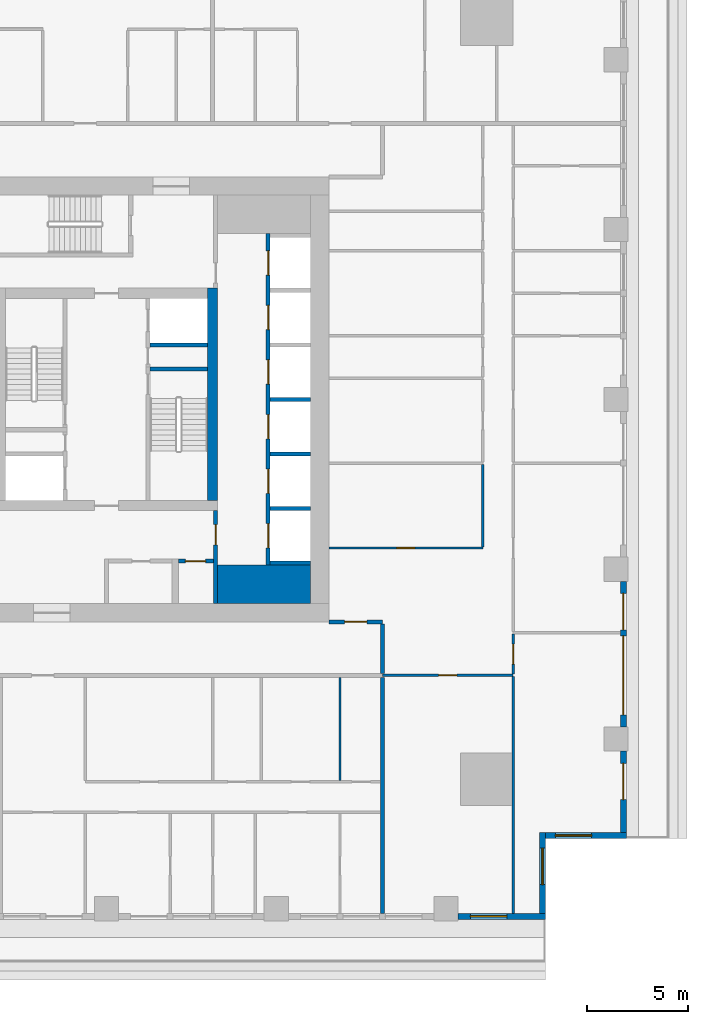
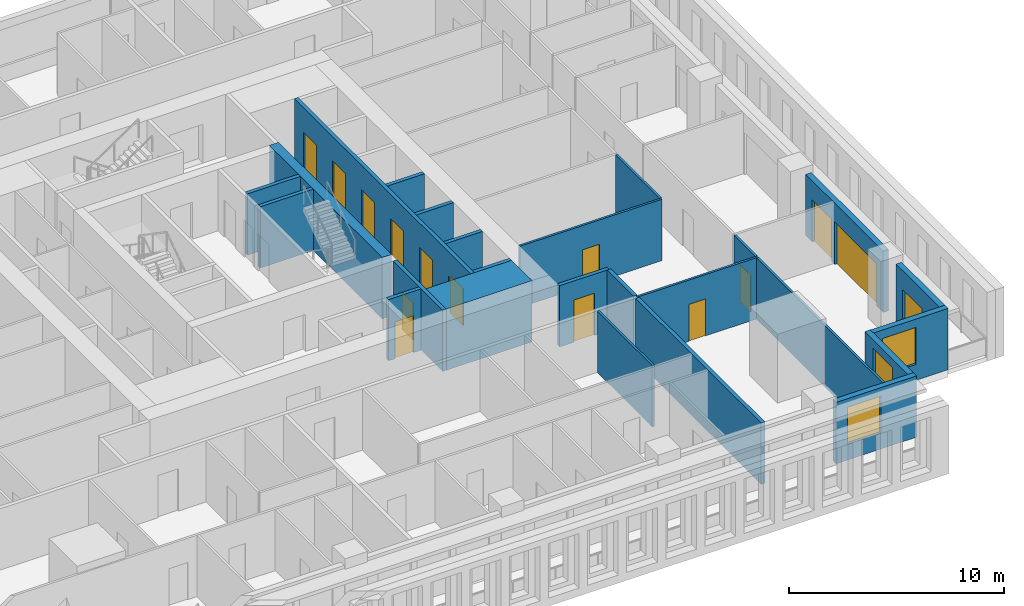
# One storey, part 5 of 16: 25 walls, 15 doors, 3 windows, 18 openings.
"""IFC4 building model written with IfcOpenShell, lengths in metres."""

from ifc_helpers import new_model, si_unit, direction, frame, frame_2d, origin, place, context, subcontext, project, spatial, rectangle, extrude, material, layer, layer_set, type_object, element, fill, save


model = new_model("IFC4")

# Units and contexts
model_context = context("Model", 3, precision=1e-05, world=origin(), true_north=direction((0.0, 1.0)))
body_context = subcontext(model_context, "Body", "Model", "MODEL_VIEW")
ifc_project = project(units=[si_unit("LENGTHUNIT", "METRE"), si_unit("AREAUNIT", "SQUARE_METRE"), si_unit("VOLUMEUNIT", "CUBIC_METRE"), si_unit("PLANEANGLEUNIT", "RADIAN"), si_unit("MASSUNIT", "GRAM", prefix="KILO")], contexts=[model_context])

# Site, building, storey
site_placement = place(None, origin())
site = spatial("IfcSite", under=ifc_project, at=site_placement, CompositionType="ELEMENT")
building_placement = place(site_placement, origin())
building = spatial("IfcBuilding", under=site, at=building_placement, Name="Khepri Terraces", CompositionType="ELEMENT")
storey_placement = place(building_placement, frame((0.0, 0.0, 157.199951171875)))
storey = spatial("IfcBuildingStorey", under=building, at=storey_placement, Name="L37", CompositionType="ELEMENT", Elevation=157.199951171875)

# Walls
ifc_material_1 = material(Name="Concrete C60/75", Category="concrete")
ifc_layer_1 = layer(ifc_material_1, 1.89990234375, Name="Concrete C60/75", Category="concrete")
ifc_layer_set_1 = layer_set([ifc_layer_1], Name="Concrete C60/75")
wall_type_1 = type_object("IfcWallType", Name="Core wall 1900 C60/75", PredefinedType="SHEAR", material=ifc_layer_set_1)
wall_1_placement = place(storey_placement, frame((5.5, -9.14990234375, 0.0), z_axis=(0.0, 0.0, 1.0), x_axis=(1.0, 0.0, 0.0)))
element("IfcWall", 1, at=wall_1_placement, inside=storey, type_object=wall_type_1, Name="Core wall PR02 L37", PredefinedType="SHEAR", context=body_context, shape_type="SweptSolid", body=[
    extrude(rectangle(XDim=4.60009765625, YDim=1.89990234375, at=frame_2d((2.300048828125, 0.0))), origin(), (0.0, 0.0, 1.0), 3.47998046875),
])
ifc_layer_2 = layer(ifc_material_1, 0.199951171875, Name="Concrete C60/75", Category="concrete")
ifc_layer_set_2 = layer_set([ifc_layer_2], Name="Concrete C60/75")
wall_type_2 = type_object("IfcWallType", Name="Core wall 200 C60/75", PredefinedType="SHEAR", material=ifc_layer_set_2)
wall_2_placement = place(storey_placement, frame((2.14990234375, 1.5, 0.0), z_axis=(0.0, 0.0, 1.0), x_axis=(1.0, 0.0, 0.0)))
element("IfcWall", 2, at=wall_2_placement, inside=storey, type_object=wall_type_2, Name="Core wall ST04 L37", PredefinedType="SHEAR", context=body_context, shape_type="SweptSolid", body=[
    extrude(rectangle(XDim=2.85009765625, YDim=0.199951171875, at=frame_2d((1.425048828125, 0.0))), origin(), (0.0, 0.0, 1.0), 3.47998046875),
])

# Wall, openings, doors
wall_3_placement = place(storey_placement, frame((8.0, -8.199951171875, 0.0), z_axis=(0.0, 0.0, 1.0), x_axis=(0.0, 1.0, 0.0)))
wall_3 = element("IfcWall", 3, at=wall_3_placement, inside=storey, type_object=wall_type_2, Name="Core wall SH02 L37", PredefinedType="SHEAR", context=body_context, shape_type="SweptSolid", body=[
    extrude(rectangle(XDim=16.39990234375, YDim=0.199951171875, at=frame_2d((8.199951171875, 0.0))), origin(), (0.0, 0.0, 1.0), 3.47998046875),
])
opening_1_placement = place(wall_3_placement, frame((0.85009765625, 0.0, 0.0)))
opening_1 = element("IfcOpeningElement", 4, at=opening_1_placement, cuts=wall_3, Name="Opening L37-C01", PredefinedType="OPENING", context=body_context, shape_type="SweptSolid", body=[
    extrude(rectangle(XDim=1.199951171875, YDim=2.10009765625, at=frame_2d((0.60009765625, 1.050048828125))), frame((0.0, 0.10986328125, 0.0), z_axis=(0.0, -1.0, 0.0), x_axis=(1.0, 0.0, 0.0)), (0.0, 0.0, 1.0), 0.219970703125),
])
opening_2_placement = place(wall_3_placement, frame((3.550048828125, 0.0, 0.0)))
opening_2 = element("IfcOpeningElement", 5, at=opening_2_placement, cuts=wall_3, Name="Opening L37-C02", PredefinedType="OPENING", context=body_context, shape_type="SweptSolid", body=[
    extrude(rectangle(XDim=1.199951171875, YDim=2.10009765625, at=frame_2d((0.60009765625, 1.050048828125))), frame((0.0, 0.10986328125, 0.0), z_axis=(0.0, -1.0, 0.0), x_axis=(1.0, 0.0, 0.0)), (0.0, 0.0, 1.0), 0.219970703125),
])
opening_3_placement = place(wall_3_placement, frame((6.25, 0.0, 0.0)))
opening_3 = element("IfcOpeningElement", 6, at=opening_3_placement, cuts=wall_3, Name="Opening L37-C03", PredefinedType="OPENING", context=body_context, shape_type="SweptSolid", body=[
    extrude(rectangle(XDim=1.199951171875, YDim=2.10009765625, at=frame_2d((0.60009765625, 1.050048828125))), frame((0.0, 0.10986328125, 0.0), z_axis=(0.0, -1.0, 0.0), x_axis=(1.0, 0.0, 0.0)), (0.0, 0.0, 1.0), 0.219970703125),
])
opening_4_placement = place(wall_3_placement, frame((8.949951171875, 0.0, 0.0)))
opening_4 = element("IfcOpeningElement", 7, at=opening_4_placement, cuts=wall_3, Name="Opening L37-C04", PredefinedType="OPENING", context=body_context, shape_type="SweptSolid", body=[
    extrude(rectangle(XDim=1.199951171875, YDim=2.10009765625, at=frame_2d((0.60009765625, 1.050048828125))), frame((0.0, 0.10986328125, 0.0), z_axis=(0.0, -1.0, 0.0), x_axis=(1.0, 0.0, 0.0)), (0.0, 0.0, 1.0), 0.219970703125),
])
opening_5_placement = place(wall_3_placement, frame((11.64990234375, 0.0, 0.0)))
opening_5 = element("IfcOpeningElement", 8, at=opening_5_placement, cuts=wall_3, Name="Opening L37-C05", PredefinedType="OPENING", context=body_context, shape_type="SweptSolid", body=[
    extrude(rectangle(XDim=1.199951171875, YDim=2.10009765625, at=frame_2d((0.60009765625, 1.050048828125))), frame((0.0, 0.10986328125, 0.0), z_axis=(0.0, -1.0, 0.0), x_axis=(1.0, 0.0, 0.0)), (0.0, 0.0, 1.0), 0.219970703125),
])
opening_6_placement = place(wall_3_placement, frame((14.35009765625, 0.0, 0.0)))
opening_6 = element("IfcOpeningElement", 9, at=opening_6_placement, cuts=wall_3, Name="Opening L37-C06", PredefinedType="OPENING", context=body_context, shape_type="SweptSolid", body=[
    extrude(rectangle(XDim=1.199951171875, YDim=2.10009765625, at=frame_2d((0.60009765625, 1.050048828125))), frame((0.0, 0.10986328125, 0.0), z_axis=(0.0, -1.0, 0.0), x_axis=(1.0, 0.0, 0.0)), (0.0, 0.0, 1.0), 0.219970703125),
])
ifc_material_2 = material(Name="Stainless steel 304", Category="steel")
door_type_1 = type_object("IfcDoorType", Name="DR-CORE-LANDING-1200", OperationType="NOTDEFINED", PredefinedType="DOOR", material=ifc_material_2)
door_1_placement = place(opening_1_placement, origin())
door_1 = element("IfcDoor", 10, at=door_1_placement, inside=storey, type_object=door_type_1, Name="Lift landing door L37-C01", OperationType="SLIDING_TO_LEFT", OverallHeight=2.10009765625, OverallWidth=1.199951171875, PredefinedType="DOOR", context=body_context, shape_type="SweptSolid", body=[
    extrude(rectangle(XDim=1.199951171875, YDim=2.10009765625, at=frame_2d((0.60009765625, 1.050048828125))), frame((0.0, 0.02490234375, 0.0), z_axis=(0.0, -1.0, 0.0), x_axis=(1.0, 0.0, 0.0)), (0.0, 0.0, 1.0), 0.050048828125),
])
fill(opening_1, door_1)
door_2_placement = place(opening_2_placement, origin())
door_2 = element("IfcDoor", 11, at=door_2_placement, inside=storey, type_object=door_type_1, Name="Lift landing door L37-C02", OperationType="SLIDING_TO_LEFT", OverallHeight=2.10009765625, OverallWidth=1.199951171875, PredefinedType="DOOR", context=body_context, shape_type="SweptSolid", body=[
    extrude(rectangle(XDim=1.199951171875, YDim=2.10009765625, at=frame_2d((0.60009765625, 1.050048828125))), frame((0.0, 0.02490234375, 0.0), z_axis=(0.0, -1.0, 0.0), x_axis=(1.0, 0.0, 0.0)), (0.0, 0.0, 1.0), 0.050048828125),
])
fill(opening_2, door_2)
door_3_placement = place(opening_3_placement, origin())
door_3 = element("IfcDoor", 12, at=door_3_placement, inside=storey, type_object=door_type_1, Name="Lift landing door L37-C03", OperationType="SLIDING_TO_LEFT", OverallHeight=2.10009765625, OverallWidth=1.199951171875, PredefinedType="DOOR", context=body_context, shape_type="SweptSolid", body=[
    extrude(rectangle(XDim=1.199951171875, YDim=2.10009765625, at=frame_2d((0.60009765625, 1.050048828125))), frame((0.0, 0.02490234375, 0.0), z_axis=(0.0, -1.0, 0.0), x_axis=(1.0, 0.0, 0.0)), (0.0, 0.0, 1.0), 0.050048828125),
])
fill(opening_3, door_3)
door_4_placement = place(opening_4_placement, origin())
door_4 = element("IfcDoor", 13, at=door_4_placement, inside=storey, type_object=door_type_1, Name="Lift landing door L37-C04", OperationType="SLIDING_TO_LEFT", OverallHeight=2.10009765625, OverallWidth=1.199951171875, PredefinedType="DOOR", context=body_context, shape_type="SweptSolid", body=[
    extrude(rectangle(XDim=1.199951171875, YDim=2.10009765625, at=frame_2d((0.60009765625, 1.050048828125))), frame((0.0, 0.02490234375, 0.0), z_axis=(0.0, -1.0, 0.0), x_axis=(1.0, 0.0, 0.0)), (0.0, 0.0, 1.0), 0.050048828125),
])
fill(opening_4, door_4)
door_5_placement = place(opening_5_placement, origin())
door_5 = element("IfcDoor", 14, at=door_5_placement, inside=storey, type_object=door_type_1, Name="Lift landing door L37-C05", OperationType="SLIDING_TO_LEFT", OverallHeight=2.10009765625, OverallWidth=1.199951171875, PredefinedType="DOOR", context=body_context, shape_type="SweptSolid", body=[
    extrude(rectangle(XDim=1.199951171875, YDim=2.10009765625, at=frame_2d((0.60009765625, 1.050048828125))), frame((0.0, 0.02490234375, 0.0), z_axis=(0.0, -1.0, 0.0), x_axis=(1.0, 0.0, 0.0)), (0.0, 0.0, 1.0), 0.050048828125),
])
fill(opening_5, door_5)
door_6_placement = place(opening_6_placement, origin())
door_6 = element("IfcDoor", 15, at=door_6_placement, inside=storey, type_object=door_type_1, Name="Lift landing door L37-C06", OperationType="SLIDING_TO_LEFT", OverallHeight=2.10009765625, OverallWidth=1.199951171875, PredefinedType="DOOR", context=body_context, shape_type="SweptSolid", body=[
    extrude(rectangle(XDim=1.199951171875, YDim=2.10009765625, at=frame_2d((0.60009765625, 1.050048828125))), frame((0.0, 0.02490234375, 0.0), z_axis=(0.0, -1.0, 0.0), x_axis=(1.0, 0.0, 0.0)), (0.0, 0.0, 1.0), 0.050048828125),
])
fill(opening_6, door_6)

# Walls
for number, where, z_axis, x_axis, name in (
    (16, (8.10009765625, -8.10009765625, 0.0), (0.0, 0.0, 1.0), (1.0, 0.0, 0.0), "Core wall SH03 L37"),
    (17, (8.10009765625, -5.39990234375, 0.0), (0.0, 0.0, 1.0), (1.0, 0.0, 0.0), "Core wall SH04 L37"),
    (18, (8.10009765625, -2.699951171875, 0.0), (0.0, 0.0, 1.0), (1.0, 0.0, 0.0), "Core wall SH08 L37"),
    (19, (8.10009765625, 0.0, 0.0), (0.0, 0.0, 1.0), (1.0, 0.0, 0.0), "Core wall SH09 L37"),
):
    element("IfcWall", number, at=place(storey_placement, frame(where, z_axis=z_axis, x_axis=x_axis)), inside=storey, type_object=wall_type_2, Name=name, PredefinedType="SHEAR", context=body_context, shape_type="SweptSolid", body=[
        extrude(rectangle(XDim=2.0, YDim=0.199951171875, at=frame_2d((1.0, 0.0))), origin(), (0.0, 0.0, 1.0), 3.47998046875),
    ])
wall_4_placement = place(storey_placement, frame((2.14990234375, 2.699951171875, 0.0), z_axis=(0.0, 0.0, 1.0), x_axis=(1.0, 0.0, 0.0)))
element("IfcWall", 20, at=wall_4_placement, inside=storey, type_object=wall_type_2, Name="Core wall SH12 L37", PredefinedType="SHEAR", context=body_context, shape_type="SweptSolid", body=[
    extrude(rectangle(XDim=2.85009765625, YDim=0.199951171875, at=frame_2d((1.425048828125, 0.0))), origin(), (0.0, 0.0, 1.0), 3.47998046875),
])
ifc_layer_3 = layer(ifc_material_1, 0.5, Name="Concrete C60/75", Category="concrete")
ifc_layer_set_3 = layer_set([ifc_layer_3], Name="Concrete C60/75")
wall_type_3 = type_object("IfcWallType", Name="Core wall 500 C60/75", PredefinedType="SHEAR", material=ifc_layer_set_3)
wall_5_placement = place(storey_placement, frame((5.25, -5.0, 0.0), z_axis=(0.0, 0.0, 1.0), x_axis=(0.0, 1.0, 0.0)))
element("IfcWall", 21, at=wall_5_placement, inside=storey, type_object=wall_type_3, Name="Core wall BX03 L37", PredefinedType="SHEAR", context=body_context, shape_type="SweptSolid", body=[
    extrude(rectangle(XDim=10.5, YDim=0.5, at=frame_2d((5.25, 0.0))), origin(), (0.0, 0.0, 1.0), 3.47998046875),
])

# Wall, opening, door
ifc_material_3 = material(Name="Fire-rated gypsum board partition")
ifc_layer_4 = layer(ifc_material_3, 0.199951171875, Name="Fire-rated gypsum board partition")
ifc_layer_set_4 = layer_set([ifc_layer_4], Name="Fire-rated gypsum board partition")
wall_type_4 = type_object("IfcWallType", Name="WL-CORE-PART-200", PredefinedType="PARTITIONING", material=ifc_layer_set_4)
wall_6_placement = place(storey_placement, frame((5.39990234375, -10.10009765625, 0.0), z_axis=(0.0, 0.0, 1.0), x_axis=(0.0, 1.0, 0.0)))
wall_6 = element("IfcWall", 22, at=wall_6_placement, inside=storey, type_object=wall_type_4, Name="Core partition PT04 L37", PredefinedType="PARTITIONING", context=body_context, shape_type="SweptSolid", body=[
    extrude(rectangle(XDim=4.60009765625, YDim=0.199951171875, at=frame_2d((2.300048828125, 0.0))), origin(), (0.0, 0.0, 1.0), 3.47998046875),
])
opening_7_placement = place(wall_6_placement, frame((2.89990234375, 0.0, 0.0)))
opening_7 = element("IfcOpeningElement", 23, at=opening_7_placement, cuts=wall_6, Name="Opening L37-C19", PredefinedType="OPENING", context=body_context, shape_type="SweptSolid", body=[
    extrude(rectangle(XDim=1.0, YDim=2.10009765625, at=frame_2d((0.5, 1.050048828125))), frame((0.0, 0.10986328125, 0.0), z_axis=(0.0, -1.0, 0.0), x_axis=(1.0, 0.0, 0.0)), (0.0, 0.0, 1.0), 0.219970703125),
])
ifc_material_4 = material(Name="Painted steel", Category="steel")
door_type_2 = type_object("IfcDoorType", Name="DR-CORE-LOBBY-1000", OperationType="NOTDEFINED", PredefinedType="DOOR", material=ifc_material_4)
door_7_placement = place(opening_7_placement, origin())
door_7 = element("IfcDoor", 24, at=door_7_placement, inside=storey, type_object=door_type_2, Name="Lobby door L37-C19", OperationType="SINGLE_SWING_RIGHT", OverallHeight=2.10009765625, OverallWidth=1.0, PredefinedType="DOOR", context=body_context, shape_type="SweptSolid", body=[
    extrude(rectangle(XDim=1.0, YDim=2.10009765625, at=frame_2d((0.5, 1.050048828125))), frame((0.0, 0.02490234375, 0.0), z_axis=(0.0, -1.0, 0.0), x_axis=(1.0, 0.0, 0.0)), (0.0, 0.0, 1.0), 0.050048828125),
])
fill(opening_7, door_7)

wall_7_placement = place(storey_placement, frame((3.550048828125, -8.0, 0.0), z_axis=(0.0, 0.0, 1.0), x_axis=(1.0, 0.0, 0.0)))
wall_7 = element("IfcWall", 25, at=wall_7_placement, inside=storey, type_object=wall_type_4, Name="Core partition PT07 L37", PredefinedType="PARTITIONING", context=body_context, shape_type="SweptSolid", body=[
    extrude(rectangle(XDim=1.75, YDim=0.199951171875, at=frame_2d((0.875, 0.0))), origin(), (0.0, 0.0, 1.0), 3.47998046875),
])
opening_8_placement = place(wall_7_placement, frame((0.35009765625, 0.0, 0.0)))
opening_8 = element("IfcOpeningElement", 26, at=opening_8_placement, cuts=wall_7, Name="Opening L37-C23", PredefinedType="OPENING", context=body_context, shape_type="SweptSolid", body=[
    extrude(rectangle(XDim=1.0, YDim=2.10009765625, at=frame_2d((0.5, 1.050048828125))), frame((0.0, 0.10986328125, 0.0), z_axis=(0.0, -1.0, 0.0), x_axis=(1.0, 0.0, 0.0)), (0.0, 0.0, 1.0), 0.219970703125),
])
ifc_material_5 = material(Name="Timber veneer", Category="wood")
door_type_3 = type_object("IfcDoorType", Name="DR-CORE-WC-1000", OperationType="NOTDEFINED", PredefinedType="DOOR", material=ifc_material_5)
door_8_placement = place(opening_8_placement, frame((1.0, 0.0, 0.0), z_axis=(0.0, 0.0, 1.0), x_axis=(-1.0, 0.0, 0.0)))
door_8 = element("IfcDoor", 27, at=door_8_placement, inside=storey, type_object=door_type_3, Name="WC door L37-C23", OperationType="SINGLE_SWING_RIGHT", OverallHeight=2.10009765625, OverallWidth=1.0, PredefinedType="DOOR", context=body_context, shape_type="SweptSolid", body=[
    extrude(rectangle(XDim=1.0, YDim=2.10009765625, at=frame_2d((0.5, 1.050048828125))), frame((0.0, 0.02490234375, 0.0), z_axis=(0.0, -1.0, 0.0), x_axis=(1.0, 0.0, 0.0)), (0.0, 0.0, 1.0), 0.050048828125),
])
fill(opening_8, door_8)

# Walls
ifc_material_6 = material(Name="Fire-rated gypsum plasterboard partition, mineral wool")
ifc_layer_5 = layer(ifc_material_6, 0.199951171875, Name="Fire-rated gypsum plasterboard partition, mineral wool")
ifc_layer_set_5 = layer_set([ifc_layer_5], Name="Fire-rated gypsum plasterboard partition, mineral wool")
wall_type_5 = type_object("IfcWallType", Name="WL-CORR-200", PredefinedType="PARTITIONING", material=ifc_layer_set_5)
wall_8_placement = place(storey_placement, frame((13.64990234375, -25.419921875, 0.0), z_axis=(0.0, 0.0, 1.0), x_axis=(0.0, 1.0, 0.0)))
element("IfcWall", 28, at=wall_8_placement, inside=storey, type_object=wall_type_5, Name="Partition P-010 L37", PredefinedType="PARTITIONING", context=body_context, shape_type="SweptSolid", body=[
    extrude(rectangle(XDim=11.669921875, YDim=0.199951171875, at=frame_2d((5.8349609375, 0.0))), origin(), (0.0, 0.0, 1.0), 3.47998046875),
])
wall_9_placement = place(storey_placement, frame((13.64990234375, -13.550048828125, 0.0), z_axis=(0.0, 0.0, 1.0), x_axis=(0.0, 1.0, 0.0)))
element("IfcWall", 29, at=wall_9_placement, inside=storey, type_object=wall_type_5, Name="Partition P-029 L37", PredefinedType="PARTITIONING", context=body_context, shape_type="SweptSolid", body=[
    extrude(rectangle(XDim=2.449951171875, YDim=0.199951171875, at=frame_2d((1.22509765625, 0.0))), origin(), (0.0, 0.0, 1.0), 3.47998046875),
])

# Wall, opening, door
wall_10_placement = place(storey_placement, frame((11.0, -11.0, 0.0), z_axis=(0.0, 0.0, 1.0), x_axis=(1.0, 0.0, 0.0)))
wall_10 = element("IfcWall", 30, at=wall_10_placement, inside=storey, type_object=wall_type_5, Name="Partition P-035 L37", PredefinedType="PARTITIONING", context=body_context, shape_type="SweptSolid", body=[
    extrude(rectangle(XDim=2.64990234375, YDim=0.199951171875, at=frame_2d((1.324951171875, 0.0))), origin(), (0.0, 0.0, 1.0), 3.47998046875),
])
opening_9_placement = place(wall_10_placement, frame((0.77490234375, 0.0, 0.0)))
opening_9 = element("IfcOpeningElement", 31, at=opening_9_placement, cuts=wall_10, Name="Opening D1", PredefinedType="OPENING", context=body_context, shape_type="SweptSolid", body=[
    extrude(rectangle(XDim=1.10009765625, YDim=2.39990234375, at=frame_2d((0.550048828125, 1.199951171875))), frame((0.0, 0.10986328125, 0.0), z_axis=(0.0, -1.0, 0.0), x_axis=(1.0, 0.0, 0.0)), (0.0, 0.0, 1.0), 0.219970703125),
])
ifc_material_7 = material(Name="Solid-core timber door leaf, flat entrance door", Category="wood")
door_type_4 = type_object("IfcDoorType", Name="DR-ENT-1100", OperationType="NOTDEFINED", PredefinedType="DOOR", material=ifc_material_7)
door_9_placement = place(opening_9_placement, origin())
door_9 = element("IfcDoor", 32, at=door_9_placement, inside=storey, type_object=door_type_4, Name="Flat B1 entrance door", OperationType="SINGLE_SWING_LEFT", OverallHeight=2.39990234375, OverallWidth=1.10009765625, PredefinedType="DOOR", context=body_context, shape_type="SweptSolid", body=[
    extrude(rectangle(XDim=1.10009765625, YDim=2.39990234375, at=frame_2d((0.550048828125, 1.199951171875))), frame((0.0, 0.02490234375, 0.0), z_axis=(0.0, -1.0, 0.0), x_axis=(1.0, 0.0, 0.0)), (0.0, 0.0, 1.0), 0.050048828125),
])
fill(opening_9, door_9)

# Wall, opening, window
ifc_material_8 = material(Name="Precast concrete C50/60 warm stone", Category="masonry")
ifc_layer_6 = layer(ifc_material_8, 0.300048828125, Name="Precast concrete C50/60 warm stone", Category="masonry")
ifc_layer_set_6 = layer_set([ifc_layer_6], Name="Precast concrete C50/60 warm stone")
wall_type_6 = type_object("IfcWallType", Name="WL-EXT-PRECAST-300", PredefinedType="STANDARD", material=ifc_layer_set_6)
wall_11_placement = place(storey_placement, frame((21.719970703125, -21.570068359375, 0.0), z_axis=(0.0, 0.0, 1.0), x_axis=(1.0, 0.0, 0.0)))
wall_11 = element("IfcWall", 33, at=wall_11_placement, inside=storey, type_object=wall_type_6, Name="External wall L37 S", PredefinedType="STANDARD", context=body_context, shape_type="SweptSolid", body=[
    extrude(rectangle(XDim=4.0, YDim=0.300048828125, at=frame_2d((2.0, 0.0))), origin(), (0.0, 0.0, 1.0), 3.47998046875),
])
opening_10_placement = place(wall_11_placement, frame((0.47998046875, 0.0, 0.89990234375)))
opening_10 = element("IfcOpeningElement", 34, at=opening_10_placement, cuts=wall_11, Name="Opening W1", PredefinedType="OPENING", context=body_context, shape_type="SweptSolid", body=[
    extrude(rectangle(XDim=1.800048828125, YDim=2.10009765625, at=frame_2d((0.89990234375, 1.050048828125))), frame((0.0, 0.16015625, 0.0), z_axis=(0.0, -1.0, 0.0), x_axis=(1.0, 0.0, 0.0)), (0.0, 0.0, 1.0), 0.320068359375),
])
ifc_material_9 = material(Name="Clear glass", Category="glass")
window_type = type_object("IfcWindowType", Name="WIN-RES-1800x2100", PartitioningType="SINGLE_PANEL", PredefinedType="WINDOW", material=ifc_material_9)
window_1_placement = place(opening_10_placement, origin())
window_1 = element("IfcWindow", 35, at=window_1_placement, inside=storey, type_object=window_type, Name="Window L37 S", OverallHeight=2.10009765625, OverallWidth=1.800048828125, PartitioningType="SINGLE_PANEL", PredefinedType="WINDOW", context=body_context, shape_type="SweptSolid", body=[
    extrude(rectangle(XDim=1.800048828125, YDim=2.10009765625, at=frame_2d((0.89990234375, 1.050048828125))), frame((0.0, 0.030029296875, 0.0), z_axis=(0.0, -1.0, 0.0), x_axis=(1.0, 0.0, 0.0)), (0.0, 0.0, 1.0), 0.06005859375),
])
fill(opening_10, window_1)

# Wall, opening, door
wall_12_placement = place(storey_placement, frame((25.570068359375, -21.419921875, 0.0), z_axis=(0.0, 0.0, 1.0), x_axis=(0.0, 1.0, 0.0)))
wall_12 = element("IfcWall", 36, at=wall_12_placement, inside=storey, type_object=wall_type_6, Name="External wall L37 E", PredefinedType="STANDARD", context=body_context, shape_type="SweptSolid", body=[
    extrude(rectangle(XDim=4.02001953125, YDim=0.300048828125, at=frame_2d((2.010009765625, 0.0))), origin(), (0.0, 0.0, 1.0), 3.47998046875),
])
opening_11_placement = place(wall_12_placement, frame((1.6201171875, 0.0, 0.0)))
opening_11 = element("IfcOpeningElement", 37, at=opening_11_placement, cuts=wall_12, Name="Opening ED-L37-01", PredefinedType="OPENING", context=body_context, shape_type="SweptSolid", body=[
    extrude(rectangle(XDim=1.800048828125, YDim=2.39990234375, at=frame_2d((0.89990234375, 1.199951171875))), frame((0.0, 0.16015625, 0.0), z_axis=(0.0, -1.0, 0.0), x_axis=(1.0, 0.0, 0.0)), (0.0, 0.0, 1.0), 0.320068359375),
])
ifc_material_10 = material(Name="Anodised aluminium bronze glazed door", Category="aluminium")
door_type_5 = type_object("IfcDoorType", Name="DR-BAL-SLIDE-1800x2400", OperationType="NOTDEFINED", PredefinedType="DOOR", material=ifc_material_10)
door_10_placement = place(opening_11_placement, origin())
door_10 = element("IfcDoor", 38, at=door_10_placement, inside=storey, type_object=door_type_5, Name="Balcony door L37 E", OperationType="SLIDING_TO_RIGHT", OverallHeight=2.39990234375, OverallWidth=1.800048828125, PredefinedType="DOOR", context=body_context, shape_type="SweptSolid", body=[
    extrude(rectangle(XDim=1.800048828125, YDim=2.39990234375, at=frame_2d((0.89990234375, 1.199951171875))), frame((0.0, 0.02490234375, 0.0), z_axis=(0.0, -1.0, 0.0), x_axis=(1.0, 0.0, 0.0)), (0.0, 0.0, 1.0), 0.050048828125),
])
fill(opening_11, door_10)

# Wall, openings, doors
wall_13_placement = place(storey_placement, frame((25.570068359375, -16.199951171875, 0.0), z_axis=(0.0, 0.0, 1.0), x_axis=(0.0, 1.0, 0.0)))
wall_13 = element("IfcWall", 39, at=wall_13_placement, inside=storey, type_object=wall_type_6, Name="External wall L37 E", PredefinedType="STANDARD", context=body_context, shape_type="SweptSolid", body=[
    extrude(rectangle(XDim=7.199951171875, YDim=0.300048828125, at=frame_2d((3.60009765625, 0.0))), origin(), (0.0, 0.0, 1.0), 3.47998046875),
])
opening_12_placement = place(wall_13_placement, frame((0.60009765625, 0.0, 0.0)))
opening_12 = element("IfcOpeningElement", 40, at=opening_12_placement, cuts=wall_13, Name="Opening ED-L37-02", PredefinedType="OPENING", context=body_context, shape_type="SweptSolid", body=[
    extrude(rectangle(XDim=3.89990234375, YDim=2.39990234375, at=frame_2d((1.949951171875, 1.199951171875))), frame((0.0, 0.16015625, 0.0), z_axis=(0.0, -1.0, 0.0), x_axis=(1.0, 0.0, 0.0)), (0.0, 0.0, 1.0), 0.320068359375),
])
opening_13_placement = place(wall_13_placement, frame((4.800048828125, 0.0, 0.0)))
opening_13 = element("IfcOpeningElement", 41, at=opening_13_placement, cuts=wall_13, Name="Opening ED-L37-03", PredefinedType="OPENING", context=body_context, shape_type="SweptSolid", body=[
    extrude(rectangle(XDim=1.800048828125, YDim=2.39990234375, at=frame_2d((0.89990234375, 1.199951171875))), frame((0.0, 0.16015625, 0.0), z_axis=(0.0, -1.0, 0.0), x_axis=(1.0, 0.0, 0.0)), (0.0, 0.0, 1.0), 0.320068359375),
])
door_11_placement = place(opening_13_placement, origin())
door_11 = element("IfcDoor", 42, at=door_11_placement, inside=storey, type_object=door_type_5, Name="Balcony door L37 E", OperationType="SLIDING_TO_RIGHT", OverallHeight=2.39990234375, OverallWidth=1.800048828125, PredefinedType="DOOR", context=body_context, shape_type="SweptSolid", body=[
    extrude(rectangle(XDim=1.800048828125, YDim=2.39990234375, at=frame_2d((0.89990234375, 1.199951171875))), frame((0.0, 0.02490234375, 0.0), z_axis=(0.0, -1.0, 0.0), x_axis=(1.0, 0.0, 0.0)), (0.0, 0.0, 1.0), 0.050048828125),
])
fill(opening_13, door_11)
door_type_6 = type_object("IfcDoorType", Name="DR-BAL-SLIDE-3900x2400", OperationType="NOTDEFINED", PredefinedType="DOOR", material=ifc_material_10)
door_12_placement = place(opening_12_placement, origin())
door_12 = element("IfcDoor", 43, at=door_12_placement, inside=storey, type_object=door_type_6, Name="Balcony door L37 E", OperationType="SLIDING_TO_LEFT", OverallHeight=2.39990234375, OverallWidth=3.89990234375, PredefinedType="DOOR", context=body_context, shape_type="SweptSolid", body=[
    extrude(rectangle(XDim=3.89990234375, YDim=2.39990234375, at=frame_2d((1.949951171875, 1.199951171875))), frame((0.0, 0.02490234375, 0.0), z_axis=(0.0, -1.0, 0.0), x_axis=(1.0, 0.0, 0.0)), (0.0, 0.0, 1.0), 0.050048828125),
])
fill(opening_12, door_12)

# Wall, opening, window
wall_14_placement = place(storey_placement, frame((17.39990234375, -25.570068359375, 0.0), z_axis=(0.0, 0.0, 1.0), x_axis=(1.0, 0.0, 0.0)))
wall_14 = element("IfcWall", 44, at=wall_14_placement, inside=storey, type_object=wall_type_6, Name="External wall L37 S", PredefinedType="STANDARD", context=body_context, shape_type="SweptSolid", body=[
    extrude(rectangle(XDim=4.320068359375, YDim=0.300048828125, at=frame_2d((2.16015625, 0.0))), origin(), (0.0, 0.0, 1.0), 3.47998046875),
])
opening_14_placement = place(wall_14_placement, frame((0.60009765625, 0.0, 0.89990234375)))
opening_14 = element("IfcOpeningElement", 45, at=opening_14_placement, cuts=wall_14, Name="Opening W1", PredefinedType="OPENING", context=body_context, shape_type="SweptSolid", body=[
    extrude(rectangle(XDim=1.800048828125, YDim=2.10009765625, at=frame_2d((0.89990234375, 1.050048828125))), frame((0.0, 0.16015625, 0.0), z_axis=(0.0, -1.0, 0.0), x_axis=(1.0, 0.0, 0.0)), (0.0, 0.0, 1.0), 0.320068359375),
])
window_2_placement = place(opening_14_placement, origin())
window_2 = element("IfcWindow", 46, at=window_2_placement, inside=storey, type_object=window_type, Name="Window L37 S", OverallHeight=2.10009765625, OverallWidth=1.800048828125, PartitioningType="SINGLE_PANEL", PredefinedType="WINDOW", context=body_context, shape_type="SweptSolid", body=[
    extrude(rectangle(XDim=1.800048828125, YDim=2.10009765625, at=frame_2d((0.89990234375, 1.050048828125))), frame((0.0, 0.030029296875, 0.0), z_axis=(0.0, -1.0, 0.0), x_axis=(1.0, 0.0, 0.0)), (0.0, 0.0, 1.0), 0.06005859375),
])
fill(opening_14, window_2)

wall_15_placement = place(storey_placement, frame((21.570068359375, -25.419921875, 0.0), z_axis=(0.0, 0.0, 1.0), x_axis=(0.0, 1.0, 0.0)))
wall_15 = element("IfcWall", 47, at=wall_15_placement, inside=storey, type_object=wall_type_6, Name="External wall L37 E", PredefinedType="STANDARD", context=body_context, shape_type="SweptSolid", body=[
    extrude(rectangle(XDim=4.0, YDim=0.300048828125, at=frame_2d((2.0, 0.0))), origin(), (0.0, 0.0, 1.0), 3.47998046875),
])
opening_15_placement = place(wall_15_placement, frame((1.419921875, 0.0, 0.89990234375)))
opening_15 = element("IfcOpeningElement", 48, at=opening_15_placement, cuts=wall_15, Name="Opening W1", PredefinedType="OPENING", context=body_context, shape_type="SweptSolid", body=[
    extrude(rectangle(XDim=1.800048828125, YDim=2.10009765625, at=frame_2d((0.89990234375, 1.050048828125))), frame((0.0, 0.16015625, 0.0), z_axis=(0.0, -1.0, 0.0), x_axis=(1.0, 0.0, 0.0)), (0.0, 0.0, 1.0), 0.320068359375),
])
window_3_placement = place(opening_15_placement, origin())
window_3 = element("IfcWindow", 49, at=window_3_placement, inside=storey, type_object=window_type, Name="Window L37 E", OverallHeight=2.10009765625, OverallWidth=1.800048828125, PartitioningType="SINGLE_PANEL", PredefinedType="WINDOW", context=body_context, shape_type="SweptSolid", body=[
    extrude(rectangle(XDim=1.800048828125, YDim=2.10009765625, at=frame_2d((0.89990234375, 1.050048828125))), frame((0.0, 0.030029296875, 0.0), z_axis=(0.0, -1.0, 0.0), x_axis=(1.0, 0.0, 0.0)), (0.0, 0.0, 1.0), 0.06005859375),
])
fill(opening_15, window_3)

# Walls
ifc_material_11 = material(Name="Gypsum plasterboard partition")
ifc_layer_7 = layer(ifc_material_11, 0.1201171875, Name="Gypsum plasterboard partition")
ifc_layer_set_7 = layer_set([ifc_layer_7], Name="Gypsum plasterboard partition")
wall_type_7 = type_object("IfcWallType", Name="WL-PART-120", PredefinedType="PARTITIONING", material=ifc_layer_set_7)
wall_16_placement = place(storey_placement, frame((20.1201171875, -25.419921875, 0.0), z_axis=(0.0, 0.0, 1.0), x_axis=(0.0, 1.0, 0.0)))
element("IfcWall", 50, at=wall_16_placement, inside=storey, type_object=wall_type_7, Name="Partition P-011 L37", PredefinedType="PARTITIONING", context=body_context, shape_type="SweptSolid", body=[
    extrude(rectangle(XDim=11.7099609375, YDim=0.1201171875, at=frame_2d((5.85498046875, 0.0))), origin(), (0.0, 0.0, 1.0), 3.47998046875),
])
wall_17_placement = place(storey_placement, frame((11.550048828125, -18.860107421875, 0.0), z_axis=(0.0, 0.0, 1.0), x_axis=(0.0, 1.0, 0.0)))
element("IfcWall", 51, at=wall_17_placement, inside=storey, type_object=wall_type_7, Name="Partition P-019 L37", PredefinedType="PARTITIONING", context=body_context, shape_type="SweptSolid", body=[
    extrude(rectangle(XDim=5.110107421875, YDim=0.1201171875, at=frame_2d((2.55517578125, 0.0))), origin(), (0.0, 0.0, 1.0), 3.47998046875),
])

# Wall, opening, door
wall_18_placement = place(storey_placement, frame((13.64990234375, -13.64990234375, 0.0), z_axis=(0.0, 0.0, 1.0), x_axis=(1.0, 0.0, 0.0)))
wall_18 = element("IfcWall", 52, at=wall_18_placement, inside=storey, type_object=wall_type_7, Name="Partition P-024 L37", PredefinedType="PARTITIONING", context=body_context, shape_type="SweptSolid", body=[
    extrude(rectangle(XDim=6.47021484375, YDim=0.1201171875, at=frame_2d((3.235107421875, 0.0))), origin(), (0.0, 0.0, 1.0), 3.47998046875),
])
opening_16_placement = place(wall_18_placement, frame((2.784912109375, 0.0, 0.0)))
opening_16 = element("IfcOpeningElement", 53, at=opening_16_placement, cuts=wall_18, Name="Opening D3", PredefinedType="OPENING", context=body_context, shape_type="SweptSolid", body=[
    extrude(rectangle(XDim=0.89990234375, YDim=2.10009765625, at=frame_2d((0.449951171875, 1.050048828125))), frame((0.0, 0.070068359375, 0.0), z_axis=(0.0, -1.0, 0.0), x_axis=(1.0, 0.0, 0.0)), (0.0, 0.0, 1.0), 0.14013671875),
])
ifc_material_12 = material(Name="Timber door leaf", Category="wood")
door_type_7 = type_object("IfcDoorType", Name="DR-INT-900", OperationType="NOTDEFINED", PredefinedType="DOOR", material=ifc_material_12)
door_13_placement = place(opening_16_placement, frame((0.89990234375, 0.0, 0.0), z_axis=(0.0, 0.0, 1.0), x_axis=(-1.0, 0.0, 0.0)))
door_13 = element("IfcDoor", 54, at=door_13_placement, inside=storey, type_object=door_type_7, Name="Door Home Cinema", OperationType="SINGLE_SWING_LEFT", OverallHeight=2.10009765625, OverallWidth=0.89990234375, PredefinedType="DOOR", context=body_context, shape_type="SweptSolid", body=[
    extrude(rectangle(XDim=0.89990234375, YDim=2.10009765625, at=frame_2d((0.449951171875, 1.050048828125))), frame((0.0, 0.02490234375, 0.0), z_axis=(0.0, -1.0, 0.0), x_axis=(1.0, 0.0, 0.0)), (0.0, 0.0, 1.0), 0.050048828125),
])
fill(opening_16, door_13)

wall_19_placement = place(storey_placement, frame((20.1201171875, -13.590087890625, 0.0), z_axis=(0.0, 0.0, 1.0), x_axis=(0.0, 1.0, 0.0)))
wall_19 = element("IfcWall", 55, at=wall_19_placement, inside=storey, type_object=wall_type_7, Name="Partition P-025 L37", PredefinedType="PARTITIONING", context=body_context, shape_type="SweptSolid", body=[
    extrude(rectangle(XDim=1.97998046875, YDim=0.1201171875, at=frame_2d((0.989990234375, 0.0))), origin(), (0.0, 0.0, 1.0), 3.47998046875),
])
opening_17_placement = place(wall_19_placement, frame((0.489990234375, 0.0, 0.0)))
opening_17 = element("IfcOpeningElement", 56, at=opening_17_placement, cuts=wall_19, Name="Opening D2", PredefinedType="OPENING", context=body_context, shape_type="SweptSolid", body=[
    extrude(rectangle(XDim=1.0, YDim=2.10009765625, at=frame_2d((0.5, 1.050048828125))), frame((0.0, 0.070068359375, 0.0), z_axis=(0.0, -1.0, 0.0), x_axis=(1.0, 0.0, 0.0)), (0.0, 0.0, 1.0), 0.14013671875),
])
ifc_material_13 = material(Name="Timber door leaf, living room door", Category="wood")
door_type_8 = type_object("IfcDoorType", Name="DR-INT-1000", OperationType="NOTDEFINED", PredefinedType="DOOR", material=ifc_material_13)
door_14_placement = place(opening_17_placement, frame((1.0, 0.0, 0.0), z_axis=(0.0, 0.0, 1.0), x_axis=(-1.0, 0.0, 0.0)))
door_14 = element("IfcDoor", 57, at=door_14_placement, inside=storey, type_object=door_type_8, Name="Door Sun Lounge", OperationType="SINGLE_SWING_RIGHT", OverallHeight=2.10009765625, OverallWidth=1.0, PredefinedType="DOOR", context=body_context, shape_type="SweptSolid", body=[
    extrude(rectangle(XDim=1.0, YDim=2.10009765625, at=frame_2d((0.5, 1.050048828125))), frame((0.0, 0.02490234375, 0.0), z_axis=(0.0, -1.0, 0.0), x_axis=(1.0, 0.0, 0.0)), (0.0, 0.0, 1.0), 0.050048828125),
])
fill(opening_17, door_14)

wall_20_placement = place(storey_placement, frame((11.0, -7.35009765625, 0.0), z_axis=(0.0, 0.0, 1.0), x_axis=(1.0, 0.0, 0.0)))
wall_20 = element("IfcWall", 58, at=wall_20_placement, inside=storey, type_object=wall_type_7, Name="Partition P-040 L37", PredefinedType="PARTITIONING", context=body_context, shape_type="SweptSolid", body=[
    extrude(rectangle(XDim=7.6201171875, YDim=0.1201171875, at=frame_2d((3.81005859375, 0.0))), origin(), (0.0, 0.0, 1.0), 3.47998046875),
])
opening_18_placement = place(wall_20_placement, frame((3.360107421875, 0.0, 0.0)))
opening_18 = element("IfcOpeningElement", 59, at=opening_18_placement, cuts=wall_20, Name="Opening D3", PredefinedType="OPENING", context=body_context, shape_type="SweptSolid", body=[
    extrude(rectangle(XDim=0.89990234375, YDim=2.10009765625, at=frame_2d((0.449951171875, 1.050048828125))), frame((0.0, 0.070068359375, 0.0), z_axis=(0.0, -1.0, 0.0), x_axis=(1.0, 0.0, 0.0)), (0.0, 0.0, 1.0), 0.14013671875),
])
door_15_placement = place(opening_18_placement, origin())
door_15 = element("IfcDoor", 60, at=door_15_placement, inside=storey, type_object=door_type_7, Name="Door Kitchen", OperationType="SINGLE_SWING_RIGHT", OverallHeight=2.10009765625, OverallWidth=0.89990234375, PredefinedType="DOOR", context=body_context, shape_type="SweptSolid", body=[
    extrude(rectangle(XDim=0.89990234375, YDim=2.10009765625, at=frame_2d((0.449951171875, 1.050048828125))), frame((0.0, 0.02490234375, 0.0), z_axis=(0.0, -1.0, 0.0), x_axis=(1.0, 0.0, 0.0)), (0.0, 0.0, 1.0), 0.050048828125),
])
fill(opening_18, door_15)

# Wall
wall_21_placement = place(storey_placement, frame((18.6201171875, -7.2900390625, 0.0), z_axis=(0.0, 0.0, 1.0), x_axis=(0.0, 1.0, 0.0)))
element("IfcWall", 61, at=wall_21_placement, inside=storey, type_object=wall_type_7, Name="Partition P-043 L37", PredefinedType="PARTITIONING", context=body_context, shape_type="SweptSolid", body=[
    extrude(rectangle(XDim=4.080078125, YDim=0.1201171875, at=frame_2d((2.0400390625, 0.0))), origin(), (0.0, 0.0, 1.0), 3.47998046875),
])

save(model, "model.ifc")
